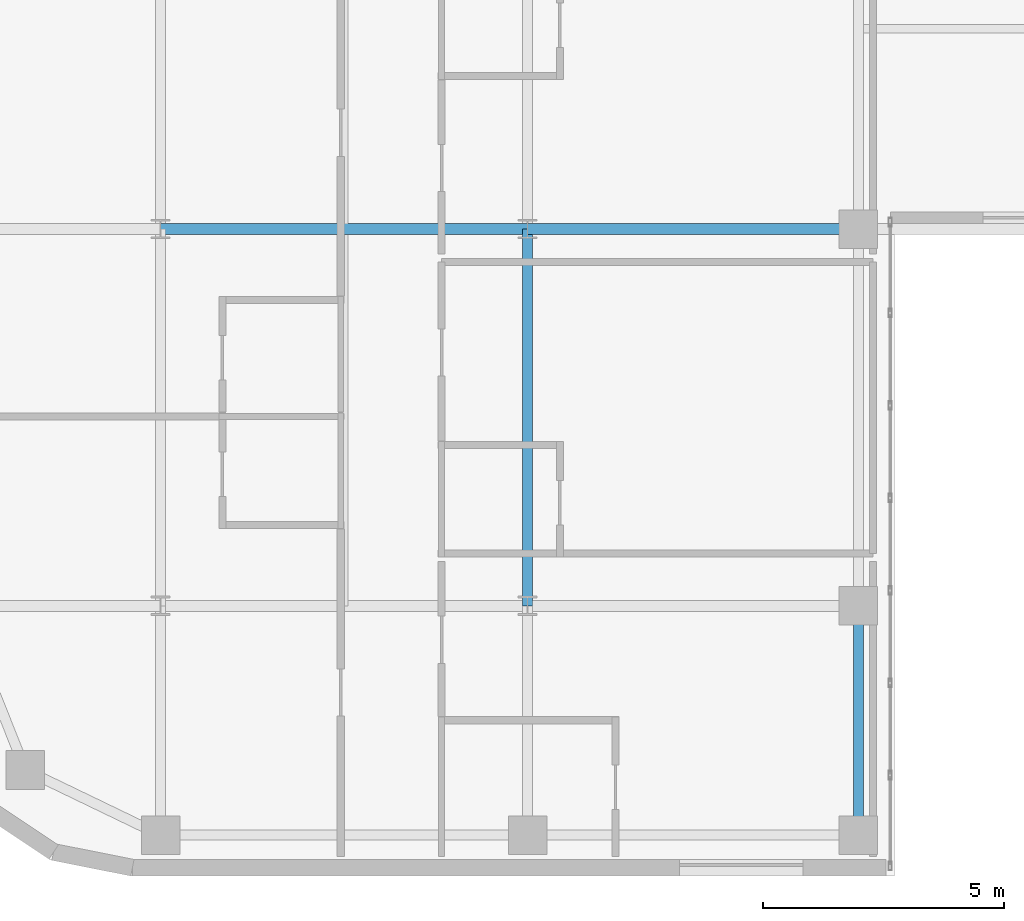
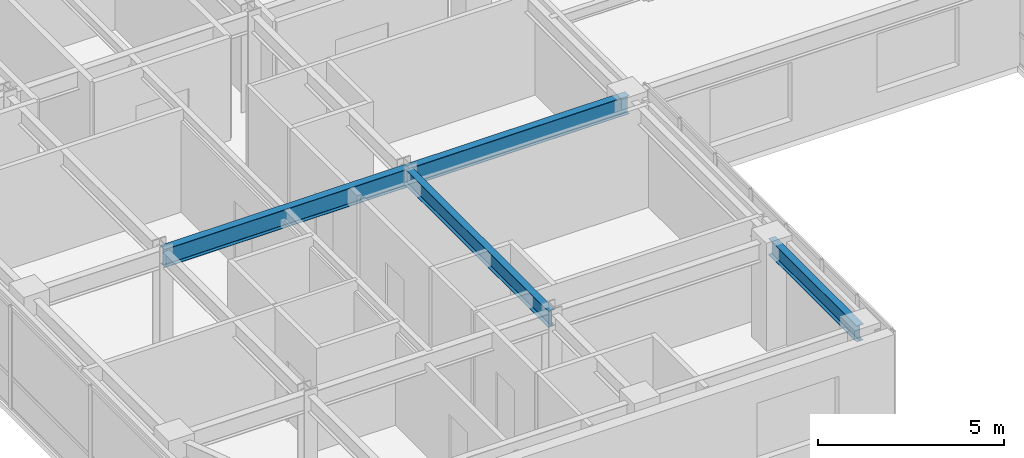
# One storey, part 6 of 24: 4 beams.
"""IFC4 building model written with IfcOpenShell, lengths in metres."""

from ifc_helpers import new_model, si_unit, direction, frame, origin, origin_2d, place, context, subcontext, project, spatial, i_section, extrude, source, transform, mapped, material, material_profile, profile_set, type_object, type_shapes, element, save


model = new_model("IFC4")

# Units and contexts
model_context = context("Model", 3, precision=1e-05, world=origin(), true_north=direction((0.0, 1.0)))
body_context = subcontext(model_context, "Body", "Model", "MODEL_VIEW")
ifc_project = project(units=[si_unit("LENGTHUNIT", "METRE"), si_unit("AREAUNIT", "SQUARE_METRE"), si_unit("VOLUMEUNIT", "CUBIC_METRE"), si_unit("PLANEANGLEUNIT", "RADIAN"), si_unit("MASSUNIT", "GRAM", prefix="KILO")], contexts=[model_context])

# Site, building, storey
site_placement = place(None, origin())
site = spatial("IfcSite", under=ifc_project, at=site_placement, CompositionType="ELEMENT")
building_placement = place(site_placement, origin())
building = spatial("IfcBuilding", under=site, at=building_placement, Name="Tolvann Quenvar Hotel", CompositionType="ELEMENT")
storey_placement = place(building_placement, frame((0.0, 0.0, 194.64990234375)))
storey = spatial("IfcBuildingStorey", under=building, at=storey_placement, Name="L51", CompositionType="ELEMENT", Elevation=194.64990234375)

# Beams
ifc_material = material(Name="Steel Grade 350", Category="steel")
ifc_material_profile_1 = material_profile(ifc_material, i_section(OverallWidth=0.208984375, OverallDepth=0.532958984375, WebThickness=0.01025390625, FlangeThickness=0.015625, FilletRadius=0.013916015625, at=origin_2d()), Name="530UB92")
ifc_profile_set_1 = profile_set([ifc_material_profile_1], Name="Steel Grade 350")
beam_type_1 = type_object("IfcBeamType", Name="BM_GIRD_530UB92", PredefinedType="BEAM", material=ifc_profile_set_1)
shared_shape_1 = source(origin(), body_context, "Body", "SweptSolid", [
    extrude(i_section(OverallWidth=0.208984375, OverallDepth=0.532958984375, WebThickness=0.01025390625, FlangeThickness=0.015625, FilletRadius=0.013916015625, at=origin_2d()), origin(), (0.0, 0.0, 1.0), 7.800048828125),
])
beam_1_placement = place(storey_placement, frame((15.199951171875, 8.199951171875, 3.103515625), z_axis=(0.0, 1.0, 0.0), x_axis=(-1.0, 0.0, 0.0)))
element("IfcBeam", 1, at=beam_1_placement, inside=storey, type_object=beam_type_1, Name="BM-L51-NS-D3-D4", PredefinedType="BEAM", context=body_context, shape_type="MappedRepresentation", body=[
    mapped(shared_shape_1, transform((0.0, 0.0, 0.0), x_axis=(1.0, 0.0, 0.0), y_axis=(0.0, 1.0, 0.0), z_axis=(0.0, 0.0, 1.0), scale=1.0)),
])
ifc_material_profile_2 = material_profile(ifc_material, i_section(OverallWidth=0.22802734375, OverallDepth=0.60205078125, WebThickness=0.010498046875, FlangeThickness=0.014892578125, FilletRadius=0.013916015625, at=origin_2d()), Name="610UB101")
ifc_profile_set_2 = profile_set([ifc_material_profile_2], Name="Steel Grade 350")
beam_type_2 = type_object("IfcBeamType", Name="BM_GIRD_610UB101", PredefinedType="BEAM", material=ifc_profile_set_2)
shared_shape_2 = source(origin(), body_context, "Body", "SweptSolid", [
    extrude(i_section(OverallWidth=0.22802734375, OverallDepth=0.60205078125, WebThickness=0.010498046875, FlangeThickness=0.014892578125, FilletRadius=0.013916015625, at=origin_2d()), origin(), (0.0, 0.0, 1.0), 7.599853515625),
])
beam_2_placement = place(storey_placement, frame((7.60009765625, 16.0, 3.069091796875), z_axis=(1.0, 0.0, 0.0), x_axis=(0.0, 1.0, 0.0)))
element("IfcBeam", 2, at=beam_2_placement, inside=storey, type_object=beam_type_2, Name="BM-L51-EW-4-C4-D4", PredefinedType="BEAM", context=body_context, shape_type="MappedRepresentation", body=[
    mapped(shared_shape_2, transform((0.0, 0.0, 0.0), x_axis=(1.0, 0.0, 0.0), y_axis=(0.0, 1.0, 0.0), z_axis=(0.0, 0.0, 1.0), scale=1.0)),
])
shared_shape_3 = source(origin(), body_context, "Body", "SweptSolid", [
    extrude(i_section(OverallWidth=0.22802734375, OverallDepth=0.60205078125, WebThickness=0.010498046875, FlangeThickness=0.014892578125, FilletRadius=0.013916015625, at=origin_2d()), origin(), (0.0, 0.0, 1.0), 6.85009765625),
])
type_shapes(beam_type_2, [shared_shape_2, shared_shape_3])
beam_3_placement = place(storey_placement, frame((15.199951171875, 16.0, 3.069091796875), z_axis=(1.0, 0.0, 0.0), x_axis=(0.0, 1.0, 0.0)))
element("IfcBeam", 3, at=beam_3_placement, inside=storey, type_object=beam_type_2, Name="BM-L51-EW-4-D4-E4", PredefinedType="BEAM", context=body_context, shape_type="MappedRepresentation", body=[
    mapped(shared_shape_3, transform((0.0, 0.0, 0.0), x_axis=(1.0, 0.0, 0.0), y_axis=(0.0, 1.0, 0.0), z_axis=(0.0, 0.0, 1.0), scale=1.0)),
])
shared_shape_4 = source(origin(), body_context, "Body", "SweptSolid", [
    extrude(i_section(OverallWidth=0.208984375, OverallDepth=0.532958984375, WebThickness=0.01025390625, FlangeThickness=0.015625, FilletRadius=0.013916015625, at=origin_2d()), origin(), (0.0, 0.0, 1.0), 4.75),
])
type_shapes(beam_type_1, [shared_shape_1, shared_shape_4])
beam_4_placement = place(storey_placement, frame((22.050048828125, 3.449951171875, 3.103515625), z_axis=(0.0, 1.0, 0.0), x_axis=(-1.0, 0.0, 0.0)))
element("IfcBeam", 4, at=beam_4_placement, inside=storey, type_object=beam_type_1, Name="BM-L51-NS-E2-E3", PredefinedType="BEAM", context=body_context, shape_type="MappedRepresentation", body=[
    mapped(shared_shape_4, transform((0.0, 0.0, 0.0), x_axis=(1.0, 0.0, 0.0), y_axis=(0.0, 1.0, 0.0), z_axis=(0.0, 0.0, 1.0), scale=1.0)),
])

save(model, "model.ifc")
